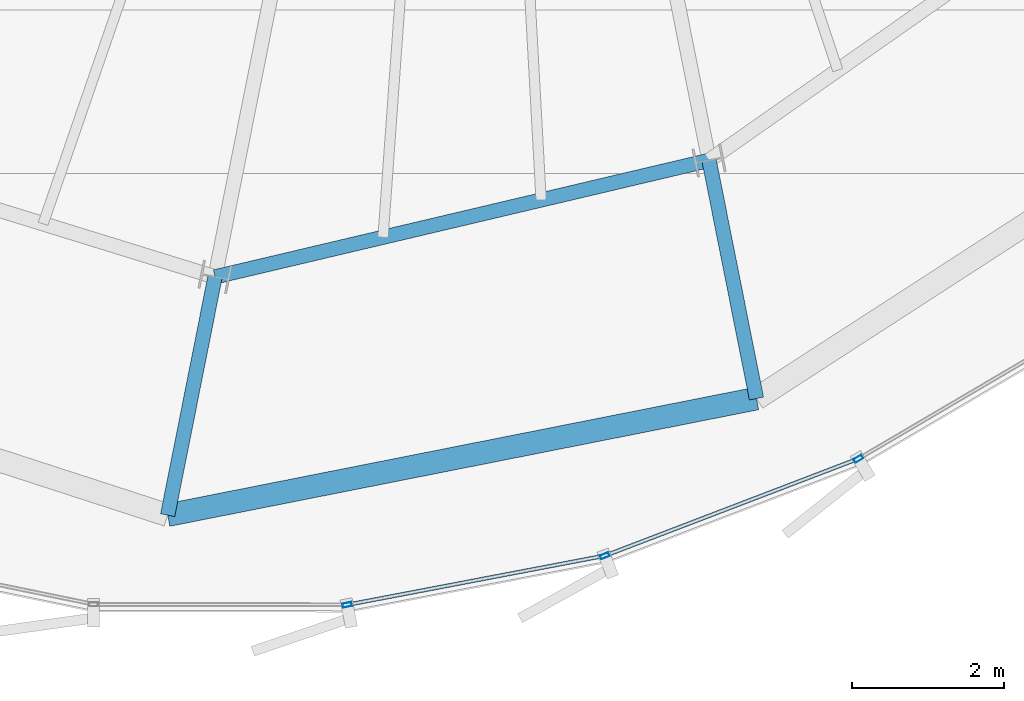
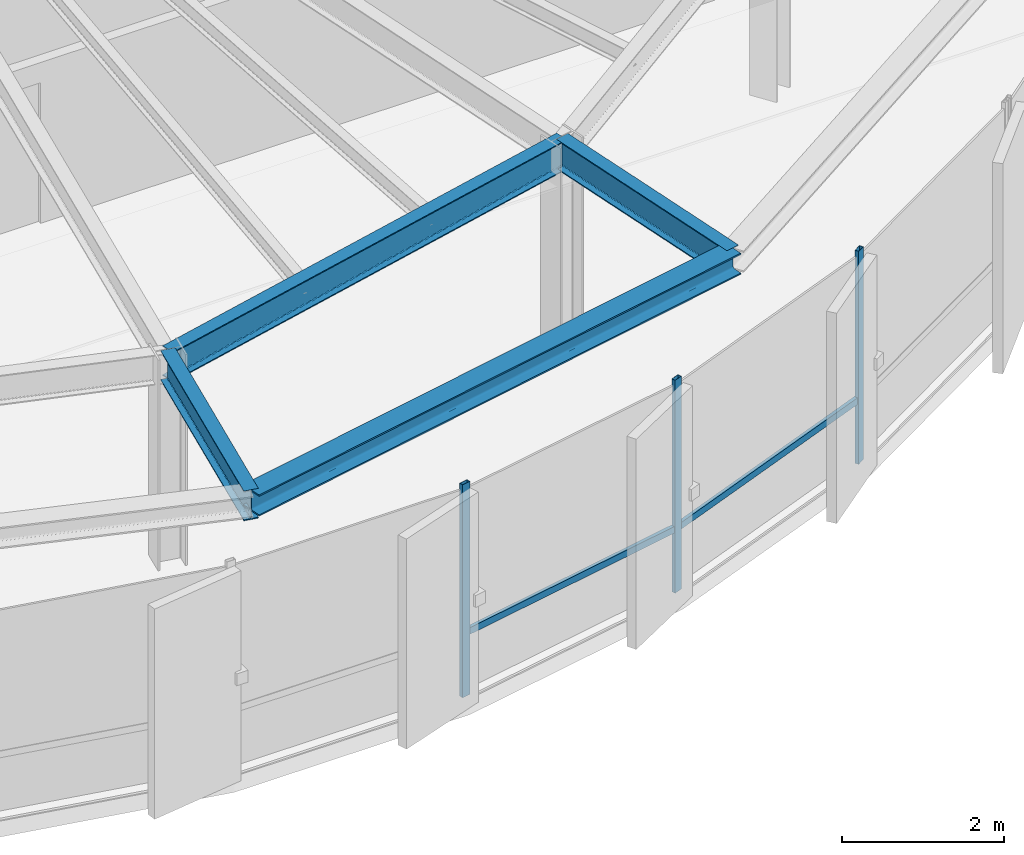
# One storey, part 6 of 31: 5 members, 4 beams, 1 element without a shape of its own.
"""IFC4 building model written with IfcOpenShell, lengths in metres."""

from ifc_helpers import new_model, si_unit, direction, frame, origin, origin_2d, place, context, subcontext, project, spatial, hollow_rectangle, i_section, extrude, source, transform, mapped, material, layer, layer_set, material_profile, profile_set, type_object, element, aggregate, save


model = new_model("IFC4")

# Units and contexts
model_context = context("Model", 3, precision=1e-05, world=origin(), true_north=direction((0.0, 1.0)))
body_context = subcontext(model_context, "Body", "Model", "MODEL_VIEW")
ifc_project = project(units=[si_unit("LENGTHUNIT", "METRE"), si_unit("AREAUNIT", "SQUARE_METRE"), si_unit("VOLUMEUNIT", "CUBIC_METRE"), si_unit("PLANEANGLEUNIT", "RADIAN"), si_unit("MASSUNIT", "GRAM", prefix="KILO"), si_unit("THERMODYNAMICTEMPERATUREUNIT", "KELVIN")], contexts=[model_context])

# Site, building, storey
site_placement = place(None, origin())
site = spatial("IfcSite", under=ifc_project, at=site_placement, CompositionType="ELEMENT")
building_placement = place(site_placement, origin())
building = spatial("IfcBuilding", under=site, at=building_placement, Name="Kethvar Cultural Tower", CompositionType="ELEMENT")
storey_placement = place(building_placement, frame((0.0, 0.0, 276.699951171875)))
storey = spatial("IfcBuildingStorey", under=building, at=storey_placement, Name="L73", CompositionType="ELEMENT", Elevation=276.699951171875)

# Beams
ifc_material_1 = material(Name="Steel S355J2", Category="steel")
ifc_material_profile_1 = material_profile(ifc_material_1, i_section(OverallWidth=0.18994140625, OverallDepth=0.449951171875, WebThickness=0.009521484375, FlangeThickness=0.0146484375, FilletRadius=0.02099609375, at=origin_2d()), Name="Steel S355J2 — IPE450")
ifc_profile_set_1 = profile_set([ifc_material_profile_1], Name="Steel S355J2 — IPE450")
beam_type_1 = type_object("IfcBeamType", Name="BM-IPE450", PredefinedType="BEAM", material=ifc_profile_set_1)
shared_shape_1 = source(origin(), body_context, "Body", "SweptSolid", [
    extrude(i_section(OverallWidth=0.18994140625, OverallDepth=0.449951171875, WebThickness=0.009521484375, FlangeThickness=0.0146484375, FilletRadius=0.02099609375, at=origin_2d()), origin(), (0.0, 0.0, 1.0), 3.199951171875),
])
beam_1_placement = place(storey_placement, frame((49.901611328125, 12.206787109375, 2.983154296875), z_axis=(0.195088965533, -0.980785550224, 0.0), x_axis=(0.980785550224, 0.195088965533, 0.0)))
element("IfcBeam", 1, at=beam_1_placement, inside=storey, type_object=beam_type_1, Name="L73 Perimeter Cantilever Beam RC-13", PredefinedType="BEAM", context=body_context, shape_type="MappedRepresentation", body=[
    mapped(shared_shape_1, transform((0.0, 0.0, 0.0), scale=1.0)),
])
shared_shape_2 = source(origin(), body_context, "Body", "SweptSolid", [
    extrude(i_section(OverallWidth=0.18994140625, OverallDepth=0.449951171875, WebThickness=0.009521484375, FlangeThickness=0.0146484375, FilletRadius=0.02099609375, at=origin_2d()), origin(), (0.0, 0.0, 1.0), 3.2001953125),
])
beam_2_placement = place(storey_placement, frame((43.392822265625, 10.67138671875, 2.983154296875), z_axis=(-0.195074368086, -0.980788453702, 0.0), x_axis=(0.980788453702, -0.195074368086, 0.0)))
element("IfcBeam", 2, at=beam_2_placement, inside=storey, type_object=beam_type_1, Name="L73 Perimeter Cantilever Beam RC-12", PredefinedType="BEAM", context=body_context, shape_type="MappedRepresentation", body=[
    mapped(shared_shape_2, transform((0.0, 0.0, 0.0), scale=1.0)),
])
shared_shape_3 = source(origin(), body_context, "Body", "SweptSolid", [
    extrude(i_section(OverallWidth=0.18994140625, OverallDepth=0.449951171875, WebThickness=0.009521484375, FlangeThickness=0.0146484375, FilletRadius=0.02099609375, at=origin_2d()), origin(), (0.0, 0.0, 1.0), 6.6875),
])
beam_3_placement = place(storey_placement, frame((43.392822265625, 10.67138671875, 2.983154296875), z_axis=(0.973286301494, 0.22959480683, 0.0), x_axis=(-0.22959480683, 0.973286301494, 0.0)))
element("IfcBeam", 3, at=beam_3_placement, inside=storey, type_object=beam_type_1, Name="L73 Column Ring Tie Beam CR-12", PredefinedType="BEAM", context=body_context, shape_type="MappedRepresentation", body=[
    mapped(shared_shape_3, transform((0.0, 0.0, 0.0), scale=1.0)),
])
ifc_material_profile_2 = material_profile(ifc_material_1, i_section(OverallWidth=0.300048828125, OverallDepth=0.320068359375, WebThickness=0.011474609375, FlangeThickness=0.0205078125, FilletRadius=0.027099609375, at=origin_2d()), Name="Steel S355J2 — HEB320")
ifc_profile_set_2 = profile_set([ifc_material_profile_2], Name="Steel S355J2 — HEB320")
beam_type_2 = type_object("IfcBeamType", Name="BM-SP320", PredefinedType="SPANDREL", material=ifc_profile_set_2)
shared_shape_4 = source(origin(), body_context, "Body", "SweptSolid", [
    extrude(i_section(OverallWidth=0.300048828125, OverallDepth=0.320068359375, WebThickness=0.011474609375, FlangeThickness=0.0205078125, FilletRadius=0.027099609375, at=origin_2d()), origin(), (0.0, 0.0, 1.0), 7.907958984375),
])
beam_4_placement = place(storey_placement, frame((42.7685546875, 7.53271484375, 3.048095703125), z_axis=(0.980963515828, 0.194192122948, 0.0), x_axis=(-0.194192122948, 0.980963515828, 0.0)))
element("IfcBeam", 4, at=beam_4_placement, inside=storey, type_object=beam_type_2, Name="L73 Perimeter Spandrel Beam SP-12", PredefinedType="SPANDREL", context=body_context, shape_type="MappedRepresentation", body=[
    mapped(shared_shape_4, transform((0.0, 0.0, 0.0), scale=1.0)),
])

# Curtain wall, members
ifc_material_2 = material(Name="Aluminium 6063-T6", Category="aluminium")
ifc_layer = layer(ifc_material_2, 0.179931640625, Name="Aluminium 6063-T6", Category="aluminium")
ifc_layer_set = layer_set([ifc_layer], Name="Aluminium 6063-T6 (180 mm)")
curtain_wall_type = type_object("IfcCurtainWallType", Name="CW-SYS-05-Z56", PredefinedType="NOTDEFINED", material=ifc_layer_set)
curtain_wall_placement = place(storey_placement, origin())
curtain_wall = element("IfcCurtainWall", 5, at=curtain_wall_placement, inside=storey, type_object=curtain_wall_type, Name="L73 Curtain Wall Run 04", PredefinedType="NOTDEFINED")
ifc_material_profile_3 = material_profile(ifc_material_2, hollow_rectangle(XDim=0.054931640625, YDim=0.1201171875, WallThickness=0.00390625, at=origin_2d()), Name="Aluminium 6063-T6 — RHS120x55x4")
ifc_profile_set_3 = profile_set([ifc_material_profile_3], Name="Aluminium 6063-T6 — RHS120x55x4")
member_type_1 = type_object("IfcMemberType", Name="CW-SYS-05-Z56-MUL", PredefinedType="MULLION", material=ifc_profile_set_3)
shared_shape_5 = source(origin(), body_context, "Body", "SweptSolid", [
    extrude(hollow_rectangle(XDim=0.054931640625, YDim=0.1201171875, WallThickness=0.00390625, at=origin_2d()), origin(), (0.0, 0.0, 1.0), 3.2099609375),
])
member_1_placement = place(storey_placement, frame((45.134033203125, 6.351318359375, 0.0), z_axis=(0.0, 0.0, 1.0), x_axis=(-0.187415602765, 0.982280709288, 0.0)))
member_1 = element("IfcMember", 6, at=member_1_placement, type_object=member_type_1, Name="CW-L73-R04 Mullion 4", PredefinedType="MULLION", context=body_context, shape_type="MappedRepresentation", body=[
    mapped(shared_shape_5, transform((0.0, 0.0, 0.0), scale=1.0)),
])
member_2_placement = place(storey_placement, frame((48.52734375, 6.9970703125, 0.0), z_axis=(0.0, 0.0, 1.0), x_axis=(-0.35766720444, 0.933849115686, 0.0)))
member_2 = element("IfcMember", 7, at=member_2_placement, type_object=member_type_1, Name="CW-L73-R04 Mullion 5", PredefinedType="MULLION", context=body_context, shape_type="MappedRepresentation", body=[
    mapped(shared_shape_5, transform((0.0, 0.0, 0.0), scale=1.0)),
])
member_3_placement = place(storey_placement, frame((51.869384765625, 8.275634765625, 0.0), z_axis=(0.0, 0.0, 1.0), x_axis=(-0.50669597779, 0.862124808883, 0.0)))
member_3 = element("IfcMember", 8, at=member_3_placement, type_object=member_type_1, Name="CW-L73-R04 Mullion 6", PredefinedType="MULLION", context=body_context, shape_type="MappedRepresentation", body=[
    mapped(shared_shape_5, transform((0.0, 0.0, 0.0), scale=1.0)),
])
ifc_material_profile_4 = material_profile(ifc_material_2, hollow_rectangle(XDim=0.050048828125, YDim=0.10009765625, WallThickness=0.00390625, at=origin_2d()), Name="Aluminium 6063-T6 — RHS100x50x4")
ifc_profile_set_4 = profile_set([ifc_material_profile_4], Name="Aluminium 6063-T6 — RHS100x50x4")
member_type_2 = type_object("IfcMemberType", Name="CW-SYS-05-Z56-TRN", PredefinedType="USERDEFINED", material=ifc_profile_set_4)
shared_shape_6 = source(origin(), body_context, "Body", "SweptSolid", [
    extrude(hollow_rectangle(XDim=0.050048828125, YDim=0.10009765625, WallThickness=0.00390625, at=origin_2d()), origin(), (0.0, 0.0, 1.0), 3.392822265625),
])
member_4_placement = place(storey_placement, frame((45.1728515625, 6.358642578125, 0.949951171875), z_axis=(0.982288145, 0.18737662659, 0.0), x_axis=(-0.18737662659, 0.982288145, 0.0)))
member_4 = element("IfcMember", 9, at=member_4_placement, type_object=member_type_2, Name="CW-L73-R04 Transom 4", ObjectType="TRANSOM", PredefinedType="USERDEFINED", context=body_context, shape_type="MappedRepresentation", body=[
    mapped(shared_shape_6, transform((0.0, 0.0, 0.0), scale=1.0)),
])
shared_shape_7 = source(origin(), body_context, "Body", "SweptSolid", [
    extrude(hollow_rectangle(XDim=0.050048828125, YDim=0.10009765625, WallThickness=0.00390625, at=origin_2d()), origin(), (0.0, 0.0, 1.0), 3.515380859375),
])
member_5_placement = place(storey_placement, frame((48.564453125, 7.01123046875, 0.949951171875), z_axis=(0.933854777663, 0.357652420984, 0.0), x_axis=(-0.357652420984, 0.933854777663, 0.0)))
member_5 = element("IfcMember", 10, at=member_5_placement, type_object=member_type_2, Name="CW-L73-R04 Transom 5", ObjectType="TRANSOM", PredefinedType="USERDEFINED", context=body_context, shape_type="MappedRepresentation", body=[
    mapped(shared_shape_7, transform((0.0, 0.0, 0.0), scale=1.0)),
])
aggregate(curtain_wall, [member_1, member_2, member_3, member_4, member_5])

save(model, "model.ifc")
